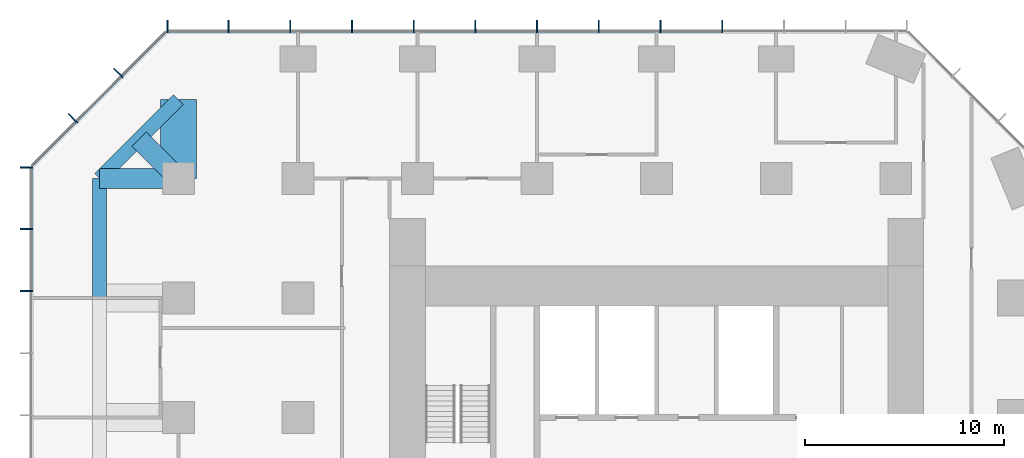
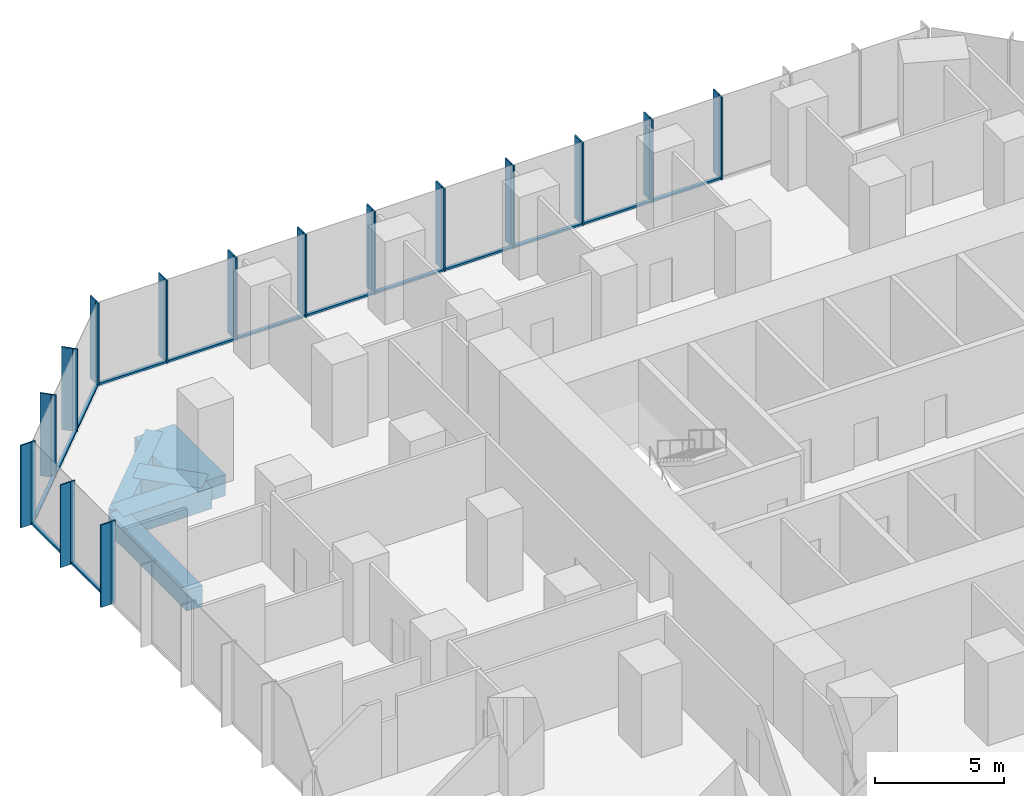
# One storey, part 5 of 11: 44 members, 5 beams, 3 elements without a shape of their own.
"""IFC4 building model written with IfcOpenShell, lengths in metres."""

from ifc_helpers import new_model, si_unit, direction, frame, origin, origin_2d, place, context, subcontext, project, spatial, rectangle, extrude, material, layer, layer_set, material_profile, profile_set, type_object, element, aggregate, save


model = new_model("IFC4")

# Units and contexts
model_context = context("Model", 3, precision=1e-05, world=origin(), true_north=direction((0.0, 1.0)))
body_context = subcontext(model_context, "Body", "Model", "MODEL_VIEW")
ifc_project = project(units=[si_unit("LENGTHUNIT", "METRE"), si_unit("AREAUNIT", "SQUARE_METRE"), si_unit("VOLUMEUNIT", "CUBIC_METRE"), si_unit("PLANEANGLEUNIT", "RADIAN"), si_unit("MASSUNIT", "GRAM", prefix="KILO")], contexts=[model_context])

# Site, building, storey
site_placement = place(None, origin())
site = spatial("IfcSite", under=ifc_project, at=site_placement, CompositionType="ELEMENT")
building_placement = place(site_placement, origin())
building = spatial("IfcBuilding", under=site, at=building_placement, Name="Highveld Stack Headquarters", CompositionType="ELEMENT")
storey_placement = place(building_placement, frame((0.0, 0.0, 121.10009765625)))
storey = spatial("IfcBuildingStorey", under=building, at=storey_placement, Name="L29", CompositionType="ELEMENT", Elevation=121.10009765625)

# Beams
ifc_material_1 = material(Name="Concrete C60/75", Category="concrete")
ifc_material_profile_1 = material_profile(ifc_material_1, rectangle(XDim=1.0, YDim=1.0, at=origin_2d()), Name="RC 1000x1000")
ifc_profile_set_1 = profile_set([ifc_material_profile_1], Name="Concrete C60/75")
beam_type_1 = type_object("IfcBeamType", Name="CANTILEVER RIB RC 1000x1000", PredefinedType="USERDEFINED", material=ifc_profile_set_1)
beam_1_placement = place(storey_placement, frame((-18.0, 18.0, -0.75), z_axis=(-1.0, 0.0, 0.0), x_axis=(0.0, -1.0, 0.0)))
element("IfcBeam", 1, at=beam_1_placement, inside=storey, type_object=beam_type_1, Name="Cantilever rib 3/H L29", ObjectType="CANTILEVER RIB", PredefinedType="USERDEFINED", context=body_context, shape_type="SweptSolid", body=[
    extrude(rectangle(XDim=1.0, YDim=1.0, at=origin_2d()), origin(), (0.0, 0.0, 1.0), 3.949951171875),
])
beam_2_placement = place(storey_placement, frame((-18.0, 18.0, -0.75), z_axis=(-0.707106781187, 0.707106781187, 0.0), x_axis=(-0.707106781187, -0.707106781187, 0.0)))
element("IfcBeam", 2, at=beam_2_placement, inside=storey, type_object=beam_type_1, Name="Cantilever rib 3/H L29", ObjectType="CANTILEVER RIB", PredefinedType="USERDEFINED", context=body_context, shape_type="SweptSolid", body=[
    extrude(rectangle(XDim=1.0, YDim=1.0, at=origin_2d()), origin(), (0.0, 0.0, 1.0), 2.793212890625),
])
ifc_material_2 = material(Name="Concrete C60/75", Category="concrete")
ifc_material_profile_2 = material_profile(ifc_material_2, rectangle(XDim=1.800048828125, YDim=1.0, at=origin_2d()), Name="RC 1800x1000")
ifc_profile_set_2 = profile_set([ifc_material_profile_2], Name="Concrete C60/75")
beam_type_2 = type_object("IfcBeamType", Name="CANTILEVER RIB RC 1800x1000", PredefinedType="USERDEFINED", material=ifc_profile_set_2)
beam_3_placement = place(storey_placement, frame((-18.0, 18.0, -0.75), z_axis=(0.0, 1.0, 0.0), x_axis=(-1.0, 0.0, 0.0)))
element("IfcBeam", 3, at=beam_3_placement, inside=storey, type_object=beam_type_2, Name="Cantilever rib 3/H L29", ObjectType="CANTILEVER RIB", PredefinedType="USERDEFINED", context=body_context, shape_type="SweptSolid", body=[
    extrude(rectangle(XDim=1.800048828125, YDim=1.0, at=origin_2d()), origin(), (0.0, 0.0, 1.0), 3.949951171875),
])

# Curtain wall, members
ifc_material_3 = material(Name="Aluminium bronze anodised", Category="aluminium")
ifc_layer_1 = layer(ifc_material_3, 0.199951171875)
ifc_layer_set_1 = layer_set([ifc_layer_1], Name="Aluminium bronze anodised")
curtain_wall_type_1 = type_object("IfcCurtainWallType", Name="CW1 TOWER UNITISED CURTAIN WALL", PredefinedType="NOTDEFINED", material=ifc_layer_set_1)
curtain_wall_1_placement = place(storey_placement, origin())
curtain_wall_1 = element("IfcCurtainWall", 4, at=curtain_wall_1_placement, inside=storey, type_object=curtain_wall_type_1, Name="Curtain wall CW1 L29 N", PredefinedType="NOTDEFINED")
ifc_material_4 = material(Name="Aluminium bronze anodised", Category="aluminium")
ifc_material_profile_3 = material_profile(ifc_material_4, rectangle(XDim=0.449951171875, YDim=0.06005859375, at=origin_2d()), Name="FIN 450x60")
ifc_profile_set_3 = profile_set([ifc_material_profile_3], Name="Aluminium bronze anodised")
member_type_1 = type_object("IfcMemberType", Name="CW1 BRONZE FIN 450x60", PredefinedType="USERDEFINED", material=ifc_profile_set_3)
member_1_placement = place(storey_placement, frame((9.289794921875, 25.72509765625, 0.0), z_axis=(0.0, 0.0, 1.0), x_axis=(0.0, -1.0, 0.0)))
member_1 = element("IfcMember", 5, at=member_1_placement, type_object=member_type_1, Name="CW1 fin L29 4", ObjectType="FIN", PredefinedType="USERDEFINED", context=body_context, shape_type="SweptSolid", body=[
    extrude(rectangle(XDim=0.449951171875, YDim=0.06005859375, at=origin_2d()), origin(), (0.0, 0.0, 1.0), 3.89990234375),
])
member_2_placement = place(storey_placement, frame((6.193359375, 25.72509765625, 0.0), z_axis=(0.0, 0.0, 1.0), x_axis=(0.0, -1.0, 0.0)))
member_2 = element("IfcMember", 6, at=member_2_placement, type_object=member_type_1, Name="CW1 fin L29 5", ObjectType="FIN", PredefinedType="USERDEFINED", context=body_context, shape_type="SweptSolid", body=[
    extrude(rectangle(XDim=0.449951171875, YDim=0.06005859375, at=origin_2d()), origin(), (0.0, 0.0, 1.0), 3.89990234375),
])
member_3_placement = place(storey_placement, frame((3.0966796875, 25.72509765625, 0.0), z_axis=(0.0, 0.0, 1.0), x_axis=(0.0, -1.0, 0.0)))
member_3 = element("IfcMember", 7, at=member_3_placement, type_object=member_type_1, Name="CW1 fin L29 6", ObjectType="FIN", PredefinedType="USERDEFINED", context=body_context, shape_type="SweptSolid", body=[
    extrude(rectangle(XDim=0.449951171875, YDim=0.06005859375, at=origin_2d()), origin(), (0.0, 0.0, 1.0), 3.89990234375),
])
member_4_placement = place(storey_placement, frame((0.0, 25.72509765625, 0.0), z_axis=(0.0, 0.0, 1.0), x_axis=(0.0, -1.0, 0.0)))
member_4 = element("IfcMember", 8, at=member_4_placement, type_object=member_type_1, Name="CW1 fin L29 7", ObjectType="FIN", PredefinedType="USERDEFINED", context=body_context, shape_type="SweptSolid", body=[
    extrude(rectangle(XDim=0.449951171875, YDim=0.06005859375, at=origin_2d()), origin(), (0.0, 0.0, 1.0), 3.89990234375),
])
member_5_placement = place(storey_placement, frame((-3.0966796875, 25.72509765625, 0.0), z_axis=(0.0, 0.0, 1.0), x_axis=(0.0, -1.0, 0.0)))
member_5 = element("IfcMember", 9, at=member_5_placement, type_object=member_type_1, Name="CW1 fin L29 8", ObjectType="FIN", PredefinedType="USERDEFINED", context=body_context, shape_type="SweptSolid", body=[
    extrude(rectangle(XDim=0.449951171875, YDim=0.06005859375, at=origin_2d()), origin(), (0.0, 0.0, 1.0), 3.89990234375),
])
member_6_placement = place(storey_placement, frame((-6.193359375, 25.72509765625, 0.0), z_axis=(0.0, 0.0, 1.0), x_axis=(0.0, -1.0, 0.0)))
member_6 = element("IfcMember", 10, at=member_6_placement, type_object=member_type_1, Name="CW1 fin L29 9", ObjectType="FIN", PredefinedType="USERDEFINED", context=body_context, shape_type="SweptSolid", body=[
    extrude(rectangle(XDim=0.449951171875, YDim=0.06005859375, at=origin_2d()), origin(), (0.0, 0.0, 1.0), 3.89990234375),
])
member_7_placement = place(storey_placement, frame((-9.2900390625, 25.72509765625, 0.0), z_axis=(0.0, 0.0, 1.0), x_axis=(0.0, -1.0, 0.0)))
member_7 = element("IfcMember", 11, at=member_7_placement, type_object=member_type_1, Name="CW1 fin L29 10", ObjectType="FIN", PredefinedType="USERDEFINED", context=body_context, shape_type="SweptSolid", body=[
    extrude(rectangle(XDim=0.449951171875, YDim=0.06005859375, at=origin_2d()), origin(), (0.0, 0.0, 1.0), 3.89990234375),
])
member_8_placement = place(storey_placement, frame((-12.38671875, 25.72509765625, 0.0), z_axis=(0.0, 0.0, 1.0), x_axis=(0.0, -1.0, 0.0)))
member_8 = element("IfcMember", 12, at=member_8_placement, type_object=member_type_1, Name="CW1 fin L29 11", ObjectType="FIN", PredefinedType="USERDEFINED", context=body_context, shape_type="SweptSolid", body=[
    extrude(rectangle(XDim=0.449951171875, YDim=0.06005859375, at=origin_2d()), origin(), (0.0, 0.0, 1.0), 3.89990234375),
])
member_9_placement = place(storey_placement, frame((-15.4833984375, 25.72509765625, 0.0), z_axis=(0.0, 0.0, 1.0), x_axis=(0.0, -1.0, 0.0)))
member_9 = element("IfcMember", 13, at=member_9_placement, type_object=member_type_1, Name="CW1 fin L29 12", ObjectType="FIN", PredefinedType="USERDEFINED", context=body_context, shape_type="SweptSolid", body=[
    extrude(rectangle(XDim=0.449951171875, YDim=0.06005859375, at=origin_2d()), origin(), (0.0, 0.0, 1.0), 3.89990234375),
])
member_10_placement = place(storey_placement, frame((-18.54736328125, 25.72509765625, 0.0), z_axis=(0.0, 0.0, 1.0), x_axis=(0.0, -1.0, 0.0)))
member_10 = element("IfcMember", 14, at=member_10_placement, type_object=member_type_1, Name="CW1 fin L29 13", ObjectType="FIN", PredefinedType="USERDEFINED", context=body_context, shape_type="SweptSolid", body=[
    extrude(rectangle(XDim=0.449951171875, YDim=0.06005859375, at=origin_2d()), origin(), (0.0, 0.0, 1.0), 3.89990234375),
])

curtain_wall_2_placement = place(storey_placement, origin())
curtain_wall_2 = element("IfcCurtainWall", 15, at=curtain_wall_2_placement, inside=storey, type_object=curtain_wall_type_1, Name="Curtain wall CW1 L29 W", PredefinedType="NOTDEFINED")
member_11_placement = place(storey_placement, frame((-25.72509765625, 18.54736328125, 0.0), z_axis=(0.0, 0.0, 1.0), x_axis=(1.0, 0.0, 0.0)))
member_11 = element("IfcMember", 16, at=member_11_placement, type_object=member_type_1, Name="CW1 fin L29 1", ObjectType="FIN", PredefinedType="USERDEFINED", context=body_context, shape_type="SweptSolid", body=[
    extrude(rectangle(XDim=0.449951171875, YDim=0.06005859375, at=origin_2d()), origin(), (0.0, 0.0, 1.0), 3.89990234375),
])
member_12_placement = place(storey_placement, frame((-25.72509765625, 15.4638671875, 0.0), z_axis=(0.0, 0.0, 1.0), x_axis=(1.0, 0.0, 0.0)))
member_12 = element("IfcMember", 17, at=member_12_placement, type_object=member_type_1, Name="CW1 fin L29 2", ObjectType="FIN", PredefinedType="USERDEFINED", context=body_context, shape_type="SweptSolid", body=[
    extrude(rectangle(XDim=0.449951171875, YDim=0.06005859375, at=origin_2d()), origin(), (0.0, 0.0, 1.0), 3.89990234375),
])
member_13_placement = place(storey_placement, frame((-25.72509765625, 12.347900390625, 0.0), z_axis=(0.0, 0.0, 1.0), x_axis=(1.0, 0.0, 0.0)))
member_13 = element("IfcMember", 18, at=member_13_placement, type_object=member_type_1, Name="CW1 fin L29 3", ObjectType="FIN", PredefinedType="USERDEFINED", context=body_context, shape_type="SweptSolid", body=[
    extrude(rectangle(XDim=0.449951171875, YDim=0.06005859375, at=origin_2d()), origin(), (0.0, 0.0, 1.0), 3.89990234375),
])

# Member
ifc_material_5 = material(Name="Aluminium bronze anodised", Category="aluminium")
ifc_material_profile_4 = material_profile(ifc_material_5, rectangle(XDim=0.199951171875, YDim=0.06494140625, at=origin_2d()), Name="CW1 MULLION 65x200")
ifc_profile_set_4 = profile_set([ifc_material_profile_4], Name="Aluminium bronze anodised")
member_type_2 = type_object("IfcMemberType", Name="CW1 MULLION 65x200", PredefinedType="MULLION", material=ifc_profile_set_4)
member_14_placement = place(storey_placement, frame((9.289794921875, 25.39990234375, 0.0), z_axis=(0.0, 0.0, 1.0), x_axis=(0.0, -1.0, 0.0)))
member_14 = element("IfcMember", 19, at=member_14_placement, type_object=member_type_2, Name="CW1 mullion L29 4", PredefinedType="MULLION", context=body_context, shape_type="SweptSolid", body=[
    extrude(rectangle(XDim=0.199951171875, YDim=0.06494140625, at=origin_2d()), origin(), (0.0, 0.0, 1.0), 3.89990234375),
])

member_15_placement = place(storey_placement, frame((6.193359375, 25.39990234375, 0.0), z_axis=(0.0, 0.0, 1.0), x_axis=(0.0, -1.0, 0.0)))
member_15 = element("IfcMember", 20, at=member_15_placement, type_object=member_type_2, Name="CW1 mullion L29 5", PredefinedType="MULLION", context=body_context, shape_type="SweptSolid", body=[
    extrude(rectangle(XDim=0.199951171875, YDim=0.06494140625, at=origin_2d()), origin(), (0.0, 0.0, 1.0), 3.89990234375),
])

member_16_placement = place(storey_placement, frame((3.0966796875, 25.39990234375, 0.0), z_axis=(0.0, 0.0, 1.0), x_axis=(0.0, -1.0, 0.0)))
member_16 = element("IfcMember", 21, at=member_16_placement, type_object=member_type_2, Name="CW1 mullion L29 6", PredefinedType="MULLION", context=body_context, shape_type="SweptSolid", body=[
    extrude(rectangle(XDim=0.199951171875, YDim=0.06494140625, at=origin_2d()), origin(), (0.0, 0.0, 1.0), 3.89990234375),
])

member_17_placement = place(storey_placement, frame((0.0, 25.39990234375, 0.0), z_axis=(0.0, 0.0, 1.0), x_axis=(0.0, -1.0, 0.0)))
member_17 = element("IfcMember", 22, at=member_17_placement, type_object=member_type_2, Name="CW1 mullion L29 7", PredefinedType="MULLION", context=body_context, shape_type="SweptSolid", body=[
    extrude(rectangle(XDim=0.199951171875, YDim=0.06494140625, at=origin_2d()), origin(), (0.0, 0.0, 1.0), 3.89990234375),
])

member_18_placement = place(storey_placement, frame((-3.0966796875, 25.39990234375, 0.0), z_axis=(0.0, 0.0, 1.0), x_axis=(0.0, -1.0, 0.0)))
member_18 = element("IfcMember", 23, at=member_18_placement, type_object=member_type_2, Name="CW1 mullion L29 8", PredefinedType="MULLION", context=body_context, shape_type="SweptSolid", body=[
    extrude(rectangle(XDim=0.199951171875, YDim=0.06494140625, at=origin_2d()), origin(), (0.0, 0.0, 1.0), 3.89990234375),
])

member_19_placement = place(storey_placement, frame((-6.193359375, 25.39990234375, 0.0), z_axis=(0.0, 0.0, 1.0), x_axis=(0.0, -1.0, 0.0)))
member_19 = element("IfcMember", 24, at=member_19_placement, type_object=member_type_2, Name="CW1 mullion L29 9", PredefinedType="MULLION", context=body_context, shape_type="SweptSolid", body=[
    extrude(rectangle(XDim=0.199951171875, YDim=0.06494140625, at=origin_2d()), origin(), (0.0, 0.0, 1.0), 3.89990234375),
])

member_20_placement = place(storey_placement, frame((-9.2900390625, 25.39990234375, 0.0), z_axis=(0.0, 0.0, 1.0), x_axis=(0.0, -1.0, 0.0)))
member_20 = element("IfcMember", 25, at=member_20_placement, type_object=member_type_2, Name="CW1 mullion L29 10", PredefinedType="MULLION", context=body_context, shape_type="SweptSolid", body=[
    extrude(rectangle(XDim=0.199951171875, YDim=0.06494140625, at=origin_2d()), origin(), (0.0, 0.0, 1.0), 3.89990234375),
])

member_21_placement = place(storey_placement, frame((-12.38671875, 25.39990234375, 0.0), z_axis=(0.0, 0.0, 1.0), x_axis=(0.0, -1.0, 0.0)))
member_21 = element("IfcMember", 26, at=member_21_placement, type_object=member_type_2, Name="CW1 mullion L29 11", PredefinedType="MULLION", context=body_context, shape_type="SweptSolid", body=[
    extrude(rectangle(XDim=0.199951171875, YDim=0.06494140625, at=origin_2d()), origin(), (0.0, 0.0, 1.0), 3.89990234375),
])

member_22_placement = place(storey_placement, frame((-15.4833984375, 25.39990234375, 0.0), z_axis=(0.0, 0.0, 1.0), x_axis=(0.0, -1.0, 0.0)))
member_22 = element("IfcMember", 27, at=member_22_placement, type_object=member_type_2, Name="CW1 mullion L29 12", PredefinedType="MULLION", context=body_context, shape_type="SweptSolid", body=[
    extrude(rectangle(XDim=0.199951171875, YDim=0.06494140625, at=origin_2d()), origin(), (0.0, 0.0, 1.0), 3.89990234375),
])

member_23_placement = place(storey_placement, frame((-18.54736328125, 25.39990234375, 0.0), z_axis=(0.0, 0.0, 1.0), x_axis=(0.0, -1.0, 0.0)))
member_23 = element("IfcMember", 28, at=member_23_placement, type_object=member_type_2, Name="CW1 mullion L29 13", PredefinedType="MULLION", context=body_context, shape_type="SweptSolid", body=[
    extrude(rectangle(XDim=0.199951171875, YDim=0.06494140625, at=origin_2d()), origin(), (0.0, 0.0, 1.0), 3.89990234375),
])

member_24_placement = place(storey_placement, frame((-25.39990234375, 18.54736328125, 0.0), z_axis=(0.0, 0.0, 1.0), x_axis=(1.0, 0.0, 0.0)))
member_24 = element("IfcMember", 29, at=member_24_placement, type_object=member_type_2, Name="CW1 mullion L29 1", PredefinedType="MULLION", context=body_context, shape_type="SweptSolid", body=[
    extrude(rectangle(XDim=0.199951171875, YDim=0.06494140625, at=origin_2d()), origin(), (0.0, 0.0, 1.0), 3.89990234375),
])

member_25_placement = place(storey_placement, frame((-25.39990234375, 15.4638671875, 0.0), z_axis=(0.0, 0.0, 1.0), x_axis=(1.0, 0.0, 0.0)))
member_25 = element("IfcMember", 30, at=member_25_placement, type_object=member_type_2, Name="CW1 mullion L29 2", PredefinedType="MULLION", context=body_context, shape_type="SweptSolid", body=[
    extrude(rectangle(XDim=0.199951171875, YDim=0.06494140625, at=origin_2d()), origin(), (0.0, 0.0, 1.0), 3.89990234375),
])

member_26_placement = place(storey_placement, frame((-25.39990234375, 12.347900390625, 0.0), z_axis=(0.0, 0.0, 1.0), x_axis=(1.0, 0.0, 0.0)))
member_26 = element("IfcMember", 31, at=member_26_placement, type_object=member_type_2, Name="CW1 mullion L29 3", PredefinedType="MULLION", context=body_context, shape_type="SweptSolid", body=[
    extrude(rectangle(XDim=0.199951171875, YDim=0.06494140625, at=origin_2d()), origin(), (0.0, 0.0, 1.0), 3.89990234375),
])

ifc_material_6 = material(Name="Aluminium bronze anodised", Category="aluminium")
ifc_material_profile_5 = material_profile(ifc_material_6, rectangle(XDim=0.14990234375, YDim=0.10009765625, at=origin_2d()), Name="CW1 TRANSOM 150x100")
ifc_profile_set_5 = profile_set([ifc_material_profile_5], Name="Aluminium bronze anodised")
member_type_3 = type_object("IfcMemberType", Name="CW1 STACK TRANSOM 150x100", PredefinedType="USERDEFINED", material=ifc_profile_set_5)
member_27_placement = place(storey_placement, frame((9.25732421875, 25.39990234375, 0.0498046875), z_axis=(-1.0, 0.0, 0.0), x_axis=(0.0, -1.0, 0.0)))
member_27 = element("IfcMember", 32, at=member_27_placement, type_object=member_type_3, Name="CW1 transom L29 4.1", ObjectType="TRANSOM", PredefinedType="USERDEFINED", context=body_context, shape_type="SweptSolid", body=[
    extrude(rectangle(XDim=0.14990234375, YDim=0.10009765625, at=origin_2d()), origin(), (0.0, 0.0, 1.0), 3.031494140625),
])

member_28_placement = place(storey_placement, frame((6.160888671875, 25.39990234375, 0.0498046875), z_axis=(-1.0, 0.0, 0.0), x_axis=(0.0, -1.0, 0.0)))
member_28 = element("IfcMember", 33, at=member_28_placement, type_object=member_type_3, Name="CW1 transom L29 5.1", ObjectType="TRANSOM", PredefinedType="USERDEFINED", context=body_context, shape_type="SweptSolid", body=[
    extrude(rectangle(XDim=0.14990234375, YDim=0.10009765625, at=origin_2d()), origin(), (0.0, 0.0, 1.0), 3.03173828125),
])

member_29_placement = place(storey_placement, frame((3.064208984375, 25.39990234375, 0.0498046875), z_axis=(-1.0, 0.0, 0.0), x_axis=(0.0, -1.0, 0.0)))
member_29 = element("IfcMember", 34, at=member_29_placement, type_object=member_type_3, Name="CW1 transom L29 6.1", ObjectType="TRANSOM", PredefinedType="USERDEFINED", context=body_context, shape_type="SweptSolid", body=[
    extrude(rectangle(XDim=0.14990234375, YDim=0.10009765625, at=origin_2d()), origin(), (0.0, 0.0, 1.0), 3.03173828125),
])

member_30_placement = place(storey_placement, frame((-0.032470703125, 25.39990234375, 0.0498046875), z_axis=(-1.0, 0.0, 0.0), x_axis=(0.0, -1.0, 0.0)))
member_30 = element("IfcMember", 35, at=member_30_placement, type_object=member_type_3, Name="CW1 transom L29 7.1", ObjectType="TRANSOM", PredefinedType="USERDEFINED", context=body_context, shape_type="SweptSolid", body=[
    extrude(rectangle(XDim=0.14990234375, YDim=0.10009765625, at=origin_2d()), origin(), (0.0, 0.0, 1.0), 3.03173828125),
])

member_31_placement = place(storey_placement, frame((-3.129150390625, 25.39990234375, 0.0498046875), z_axis=(-1.0, 0.0, 0.0), x_axis=(0.0, -1.0, 0.0)))
member_31 = element("IfcMember", 36, at=member_31_placement, type_object=member_type_3, Name="CW1 transom L29 8.1", ObjectType="TRANSOM", PredefinedType="USERDEFINED", context=body_context, shape_type="SweptSolid", body=[
    extrude(rectangle(XDim=0.14990234375, YDim=0.10009765625, at=origin_2d()), origin(), (0.0, 0.0, 1.0), 3.03173828125),
])

member_32_placement = place(storey_placement, frame((-6.225830078125, 25.39990234375, 0.0498046875), z_axis=(-1.0, 0.0, 0.0), x_axis=(0.0, -1.0, 0.0)))
member_32 = element("IfcMember", 37, at=member_32_placement, type_object=member_type_3, Name="CW1 transom L29 9.1", ObjectType="TRANSOM", PredefinedType="USERDEFINED", context=body_context, shape_type="SweptSolid", body=[
    extrude(rectangle(XDim=0.14990234375, YDim=0.10009765625, at=origin_2d()), origin(), (0.0, 0.0, 1.0), 3.03173828125),
])

member_33_placement = place(storey_placement, frame((-9.322509765625, 25.39990234375, 0.0498046875), z_axis=(-1.0, 0.0, 0.0), x_axis=(0.0, -1.0, 0.0)))
member_33 = element("IfcMember", 38, at=member_33_placement, type_object=member_type_3, Name="CW1 transom L29 10.1", ObjectType="TRANSOM", PredefinedType="USERDEFINED", context=body_context, shape_type="SweptSolid", body=[
    extrude(rectangle(XDim=0.14990234375, YDim=0.10009765625, at=origin_2d()), origin(), (0.0, 0.0, 1.0), 3.031494140625),
])

member_34_placement = place(storey_placement, frame((-12.419189453125, 25.39990234375, 0.0498046875), z_axis=(-1.0, 0.0, 0.0), x_axis=(0.0, -1.0, 0.0)))
member_34 = element("IfcMember", 39, at=member_34_placement, type_object=member_type_3, Name="CW1 transom L29 11.1", ObjectType="TRANSOM", PredefinedType="USERDEFINED", context=body_context, shape_type="SweptSolid", body=[
    extrude(rectangle(XDim=0.14990234375, YDim=0.10009765625, at=origin_2d()), origin(), (0.0, 0.0, 1.0), 3.031494140625),
])

member_35_placement = place(storey_placement, frame((-15.515869140625, 25.39990234375, 0.0498046875), z_axis=(-1.0, 0.0, 0.0), x_axis=(0.0, -1.0, 0.0)))
member_35 = element("IfcMember", 40, at=member_35_placement, type_object=member_type_3, Name="CW1 transom L29 12.1", ObjectType="TRANSOM", PredefinedType="USERDEFINED", context=body_context, shape_type="SweptSolid", body=[
    extrude(rectangle(XDim=0.14990234375, YDim=0.10009765625, at=origin_2d()), origin(), (0.0, 0.0, 1.0), 2.9990234375),
])

aggregate(curtain_wall_1, [member_14, member_1, member_15, member_2, member_16, member_3, member_17, member_4, member_18, member_5, member_19, member_6, member_20, member_7, member_21, member_8, member_22, member_9, member_23, member_10, member_27, member_28, member_29, member_30, member_31, member_32, member_33, member_34, member_35])

member_36_placement = place(storey_placement, frame((-25.39990234375, 18.514892578125, 0.0498046875), z_axis=(0.0, -1.0, 0.0), x_axis=(1.0, 0.0, 0.0)))
member_36 = element("IfcMember", 41, at=member_36_placement, type_object=member_type_3, Name="CW1 transom L29 1.1", ObjectType="TRANSOM", PredefinedType="USERDEFINED", context=body_context, shape_type="SweptSolid", body=[
    extrude(rectangle(XDim=0.14990234375, YDim=0.10009765625, at=origin_2d()), origin(), (0.0, 0.0, 1.0), 3.0185546875),
])

member_37_placement = place(storey_placement, frame((-25.39990234375, 15.431396484375, 0.0498046875), z_axis=(0.0, -1.0, 0.0), x_axis=(1.0, 0.0, 0.0)))
member_37 = element("IfcMember", 42, at=member_37_placement, type_object=member_type_3, Name="CW1 transom L29 2.1", ObjectType="TRANSOM", PredefinedType="USERDEFINED", context=body_context, shape_type="SweptSolid", body=[
    extrude(rectangle(XDim=0.14990234375, YDim=0.10009765625, at=origin_2d()), origin(), (0.0, 0.0, 1.0), 3.051025390625),
])

aggregate(curtain_wall_2, [member_24, member_11, member_25, member_12, member_26, member_13, member_36, member_37])

# Curtain wall, members
ifc_material_7 = material(Name="Aluminium bronze anodised", Category="aluminium")
ifc_layer_2 = layer(ifc_material_7, 0.199951171875)
ifc_layer_set_2 = layer_set([ifc_layer_2], Name="Aluminium bronze anodised")
curtain_wall_type_2 = type_object("IfcCurtainWallType", Name="CW2 TOWER CHAMFER UNITISED CURTAIN WALL", PredefinedType="NOTDEFINED", material=ifc_layer_set_2)
curtain_wall_3_placement = place(storey_placement, origin())
curtain_wall_3 = element("IfcCurtainWall", 43, at=curtain_wall_3_placement, inside=storey, type_object=curtain_wall_type_2, Name="Curtain wall CW2 L29 NW", PredefinedType="NOTDEFINED")
ifc_material_8 = material(Name="Aluminium bronze anodised", Category="aluminium")
ifc_material_profile_6 = material_profile(ifc_material_8, rectangle(XDim=0.449951171875, YDim=0.06005859375, at=origin_2d()), Name="FIN 450x60")
ifc_profile_set_6 = profile_set([ifc_material_profile_6], Name="Aluminium bronze anodised")
member_type_4 = type_object("IfcMemberType", Name="CW2 BRONZE FIN 450x60", PredefinedType="USERDEFINED", material=ifc_profile_set_6)
member_38_placement = place(storey_placement, frame((-21.0830078125, 23.3564453125, 0.0), z_axis=(0.0, 0.0, 1.0), x_axis=(0.707106781187, -0.707106781187, 0.0)))
member_38 = element("IfcMember", 44, at=member_38_placement, type_object=member_type_4, Name="CW2 fin L29 1", ObjectType="FIN", PredefinedType="USERDEFINED", context=body_context, shape_type="SweptSolid", body=[
    extrude(rectangle(XDim=0.449951171875, YDim=0.06005859375, at=origin_2d()), origin(), (0.0, 0.0, 1.0), 3.89990234375),
])
member_39_placement = place(storey_placement, frame((-23.3564453125, 21.0830078125, 0.0), z_axis=(0.0, 0.0, 1.0), x_axis=(0.707106781187, -0.707106781187, 0.0)))
member_39 = element("IfcMember", 45, at=member_39_placement, type_object=member_type_4, Name="CW2 fin L29 2", ObjectType="FIN", PredefinedType="USERDEFINED", context=body_context, shape_type="SweptSolid", body=[
    extrude(rectangle(XDim=0.449951171875, YDim=0.06005859375, at=origin_2d()), origin(), (0.0, 0.0, 1.0), 3.89990234375),
])
ifc_material_9 = material(Name="Aluminium bronze anodised", Category="aluminium")
ifc_material_profile_7 = material_profile(ifc_material_9, rectangle(XDim=0.199951171875, YDim=0.06494140625, at=origin_2d()), Name="CW2 MULLION 65x200")
ifc_profile_set_7 = profile_set([ifc_material_profile_7], Name="Aluminium bronze anodised")
member_type_5 = type_object("IfcMemberType", Name="CW2 MULLION 65x200", PredefinedType="MULLION", material=ifc_profile_set_7)
member_40_placement = place(storey_placement, frame((-20.853271484375, 23.126708984375, 0.0), z_axis=(0.0, 0.0, 1.0), x_axis=(0.707106781187, -0.707106781187, 0.0)))
member_40 = element("IfcMember", 46, at=member_40_placement, type_object=member_type_5, Name="CW2 mullion L29 1", PredefinedType="MULLION", context=body_context, shape_type="SweptSolid", body=[
    extrude(rectangle(XDim=0.199951171875, YDim=0.06494140625, at=origin_2d()), origin(), (0.0, 0.0, 1.0), 3.89990234375),
])
member_41_placement = place(storey_placement, frame((-23.126708984375, 20.853271484375, 0.0), z_axis=(0.0, 0.0, 1.0), x_axis=(0.707106781187, -0.707106781187, 0.0)))
member_41 = element("IfcMember", 47, at=member_41_placement, type_object=member_type_5, Name="CW2 mullion L29 2", PredefinedType="MULLION", context=body_context, shape_type="SweptSolid", body=[
    extrude(rectangle(XDim=0.199951171875, YDim=0.06494140625, at=origin_2d()), origin(), (0.0, 0.0, 1.0), 3.89990234375),
])
ifc_material_10 = material(Name="Aluminium bronze anodised", Category="aluminium")
ifc_material_profile_8 = material_profile(ifc_material_10, rectangle(XDim=0.14990234375, YDim=0.10009765625, at=origin_2d()), Name="CW2 TRANSOM 150x100")
ifc_profile_set_8 = profile_set([ifc_material_profile_8], Name="Aluminium bronze anodised")
member_type_6 = type_object("IfcMemberType", Name="CW2 STACK TRANSOM 150x100", PredefinedType="USERDEFINED", material=ifc_profile_set_8)
member_42_placement = place(storey_placement, frame((-18.650634765625, 25.329345703125, 0.0498046875), z_axis=(-0.707106781187, -0.707106781187, 0.0), x_axis=(0.707106781187, -0.707106781187, 0.0)))
member_42 = element("IfcMember", 48, at=member_42_placement, type_object=member_type_6, Name="CW2 transom L29 1.1", ObjectType="TRANSOM", PredefinedType="USERDEFINED", context=body_context, shape_type="SweptSolid", body=[
    extrude(rectangle(XDim=0.14990234375, YDim=0.10009765625, at=origin_2d()), origin(), (0.0, 0.0, 1.0), 3.08251953125),
])
member_43_placement = place(storey_placement, frame((-20.876220703125, 23.103759765625, 0.0498046875), z_axis=(-0.707106781187, -0.707106781187, 0.0), x_axis=(0.707106781187, -0.707106781187, 0.0)))
member_43 = element("IfcMember", 49, at=member_43_placement, type_object=member_type_6, Name="CW2 transom L29 2.1", ObjectType="TRANSOM", PredefinedType="USERDEFINED", context=body_context, shape_type="SweptSolid", body=[
    extrude(rectangle(XDim=0.14990234375, YDim=0.10009765625, at=origin_2d()), origin(), (0.0, 0.0, 1.0), 3.150146484375),
])
member_44_placement = place(storey_placement, frame((-23.149658203125, 20.830322265625, 0.0498046875), z_axis=(-0.707106781187, -0.707106781187, 0.0), x_axis=(0.707106781187, -0.707106781187, 0.0)))
member_44 = element("IfcMember", 50, at=member_44_placement, type_object=member_type_6, Name="CW2 transom L29 3.1", ObjectType="TRANSOM", PredefinedType="USERDEFINED", context=body_context, shape_type="SweptSolid", body=[
    extrude(rectangle(XDim=0.14990234375, YDim=0.10009765625, at=origin_2d()), origin(), (0.0, 0.0, 1.0), 3.08251953125),
])
aggregate(curtain_wall_3, [member_40, member_38, member_41, member_39, member_42, member_43, member_44])

# Beams
ifc_material_11 = material(Name="Concrete C60/75", Category="concrete")
ifc_material_profile_9 = material_profile(ifc_material_11, rectangle(XDim=0.699951171875, YDim=1.0, at=origin_2d()), Name="RC 700x1000")
ifc_profile_set_9 = profile_set([ifc_material_profile_9], Name="Concrete C60/75")
beam_type_3 = type_object("IfcBeamType", Name="RIB TIP BEAM RC 700x1000", PredefinedType="SPANDREL", material=ifc_profile_set_9)
beam_4_placement = place(storey_placement, frame((-21.949951171875, 12.0, -0.75), z_axis=(0.0, 1.0, 0.0), x_axis=(-1.0, 0.0, 0.0)))
element("IfcBeam", 51, at=beam_4_placement, inside=storey, type_object=beam_type_3, Name="Rib tip beam 3/G to 3/H L29", PredefinedType="SPANDREL", context=body_context, shape_type="SweptSolid", body=[
    extrude(rectangle(XDim=0.699951171875, YDim=1.0, at=origin_2d()), origin(), (0.0, 0.0, 1.0), 6.0),
])
beam_5_placement = place(storey_placement, frame((-21.949951171875, 18.0, -0.75), z_axis=(0.707106781187, 0.707106781187, 0.0), x_axis=(-0.707106781187, 0.707106781187, 0.0)))
element("IfcBeam", 52, at=beam_5_placement, inside=storey, type_object=beam_type_3, Name="Rib tip beam 3/H corner L29", PredefinedType="SPANDREL", context=body_context, shape_type="SweptSolid", body=[
    extrude(rectangle(XDim=0.699951171875, YDim=1.0, at=origin_2d()), origin(), (0.0, 0.0, 1.0), 5.586181640625),
])

save(model, "model.ifc")
